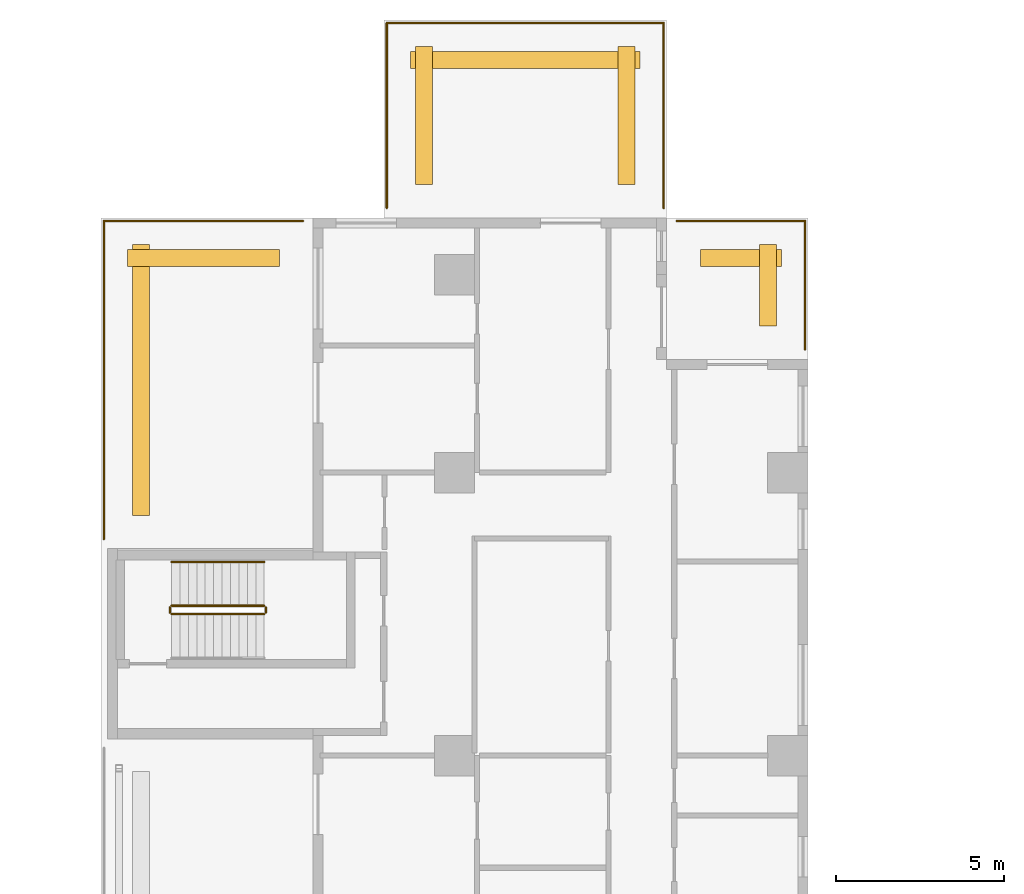
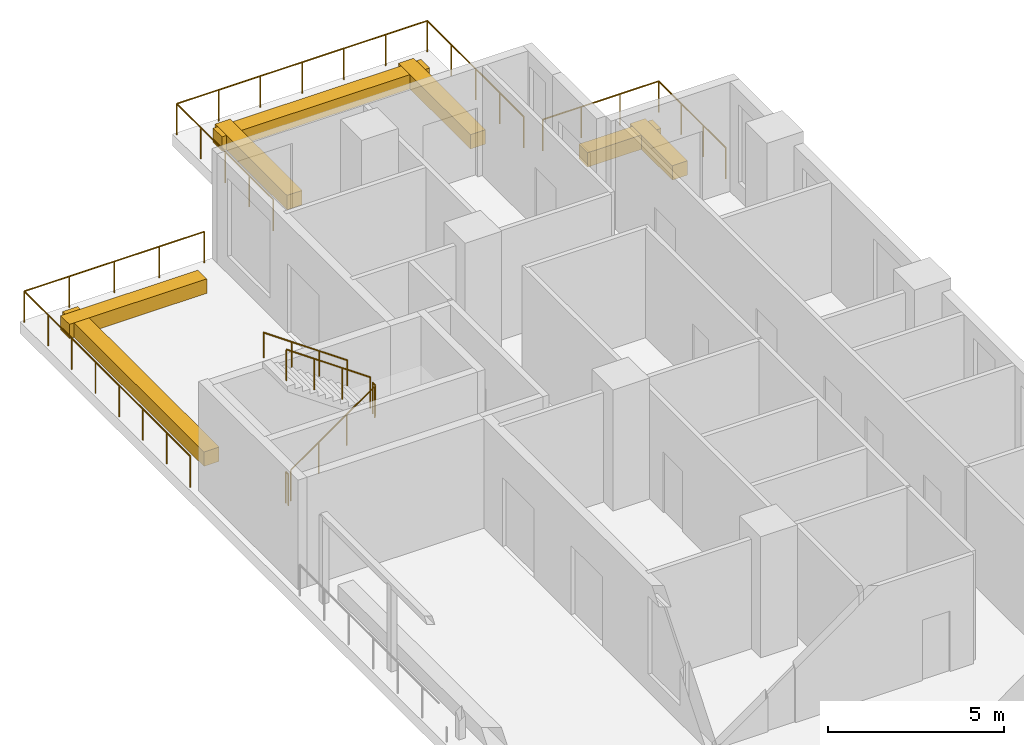
# One storey, part 17 of 18: 12 railings, 7 coverings.
"""IFC4 building model written with IfcOpenShell, lengths in metres."""

from ifc_helpers import new_model, si_unit, direction, frame, origin, origin_2d, place, context, subcontext, project, spatial, rectangle, circle, extrude, source, transform, mapped, material, type_object, element, save


model = new_model("IFC4")

# Units and contexts
model_context = context("Model", 3, precision=1e-05, world=origin(), true_north=direction((0.0, 1.0)))
body_context = subcontext(model_context, "Body", "Model", "MODEL_VIEW")
ifc_project = project(units=[si_unit("LENGTHUNIT", "METRE"), si_unit("AREAUNIT", "SQUARE_METRE"), si_unit("VOLUMEUNIT", "CUBIC_METRE"), si_unit("PLANEANGLEUNIT", "RADIAN"), si_unit("MASSUNIT", "GRAM", prefix="KILO")], contexts=[model_context])

# Site, building, storey
site_placement = place(None, origin())
site = spatial("IfcSite", under=ifc_project, at=site_placement, CompositionType="ELEMENT")
building_placement = place(site_placement, origin())
building = spatial("IfcBuilding", under=site, at=building_placement, Name="Aurelian Terraces", CompositionType="ELEMENT")
storey_placement = place(building_placement, frame((0.0, 0.0, 99.3)))
storey = spatial("IfcBuildingStorey", under=building, at=storey_placement, Name="L21", CompositionType="ELEMENT", Elevation=99.3)

# Railings
ifc_material_1 = material(Name="Anodised aluminium", Category="aluminium")
railing_type_1 = type_object("IfcRailingType", Name="GUARD-1100", PredefinedType="GUARDRAIL", material=ifc_material_1)
railing_1_placement = place(storey_placement, frame((0.09, 44.2289, 0.0)))
element("IfcRailing", 1, at=railing_1_placement, inside=storey, type_object=railing_type_1, Name="Terrace guard L21 L21-X1.2", PredefinedType="GUARDRAIL", context=body_context, shape_type="SweptSolid", body=[
    extrude(circle(Radius=0.024, at=origin_2d()), frame((0.0, 0.0, 1.076), z_axis=(0.0, 1.0, 0.0), x_axis=(-1.0, 0.0, 0.0)), (0.0, 0.0, 1.0), 9.4411),
    extrude(circle(Radius=0.021, at=origin_2d()), origin(), (0.0, 0.0, 1.0), 1.052),
    extrude(circle(Radius=0.021, at=origin_2d()), frame((0.0, 1.3487, 0.0)), (0.0, 0.0, 1.0), 1.052),
    extrude(circle(Radius=0.021, at=origin_2d()), frame((0.0, 2.6975, 0.0)), (0.0, 0.0, 1.0), 1.052),
    extrude(circle(Radius=0.021, at=origin_2d()), frame((0.0, 4.0462, 0.0)), (0.0, 0.0, 1.0), 1.052),
    extrude(circle(Radius=0.021, at=origin_2d()), frame((0.0, 5.3949, 0.0)), (0.0, 0.0, 1.0), 1.052),
    extrude(circle(Radius=0.021, at=origin_2d()), frame((0.0, 6.7436, 0.0)), (0.0, 0.0, 1.0), 1.052),
    extrude(circle(Radius=0.021, at=origin_2d()), frame((0.0, 8.0924, 0.0)), (0.0, 0.0, 1.0), 1.052),
    extrude(circle(Radius=0.021, at=origin_2d()), frame((0.0, 9.4411, 0.0)), (0.0, 0.0, 1.0), 1.052),
])
railing_2_placement = place(storey_placement, frame((0.09, 53.67, 0.0)))
element("IfcRailing", 2, at=railing_2_placement, inside=storey, type_object=railing_type_1, Name="Terrace guard L21 L21-X1.3", PredefinedType="GUARDRAIL", context=body_context, shape_type="SweptSolid", body=[
    extrude(circle(Radius=0.024, at=origin_2d()), frame((0.0, 0.0, 1.076), z_axis=(1.0, 0.0, 0.0), x_axis=(0.0, 1.0, 0.0)), (0.0, 0.0, 1.0), 5.91),
    extrude(circle(Radius=0.021, at=origin_2d()), origin(), (0.0, 0.0, 1.0), 1.052),
    extrude(circle(Radius=0.021, at=origin_2d()), frame((1.4775, 0.0, 0.0)), (0.0, 0.0, 1.0), 1.052),
    extrude(circle(Radius=0.021, at=origin_2d()), frame((2.955, 0.0, 0.0)), (0.0, 0.0, 1.0), 1.052),
    extrude(circle(Radius=0.021, at=origin_2d()), frame((4.4325, 0.0, 0.0)), (0.0, 0.0, 1.0), 1.052),
    extrude(circle(Radius=0.021, at=origin_2d()), frame((5.91, 0.0, 0.0)), (0.0, 0.0, 1.0), 1.052),
])
railing_3_placement = place(storey_placement, frame((8.49, 54.06, 0.0)))
element("IfcRailing", 3, at=railing_3_placement, inside=storey, type_object=railing_type_1, Name="Terrace guard L21 L21-X2.1", PredefinedType="GUARDRAIL", context=body_context, shape_type="SweptSolid", body=[
    extrude(circle(Radius=0.024, at=origin_2d()), frame((0.0, 0.0, 1.076), z_axis=(0.0, 1.0, 0.0), x_axis=(-1.0, 0.0, 0.0)), (0.0, 0.0, 1.0), 5.49),
    extrude(circle(Radius=0.021, at=origin_2d()), origin(), (0.0, 0.0, 1.0), 1.052),
    extrude(circle(Radius=0.021, at=origin_2d()), frame((0.0, 1.3725, 0.0)), (0.0, 0.0, 1.0), 1.052),
    extrude(circle(Radius=0.021, at=origin_2d()), frame((0.0, 2.745, 0.0)), (0.0, 0.0, 1.0), 1.052),
    extrude(circle(Radius=0.021, at=origin_2d()), frame((0.0, 4.1175, 0.0)), (0.0, 0.0, 1.0), 1.052),
    extrude(circle(Radius=0.021, at=origin_2d()), frame((0.0, 5.49, 0.0)), (0.0, 0.0, 1.0), 1.052),
])
railing_4_placement = place(storey_placement, frame((8.49, 59.55, 0.0)))
element("IfcRailing", 4, at=railing_4_placement, inside=storey, type_object=railing_type_1, Name="Terrace guard L21 L21-X2.2", PredefinedType="GUARDRAIL", context=body_context, shape_type="SweptSolid", body=[
    extrude(circle(Radius=0.024, at=origin_2d()), frame((0.0, 0.0, 1.076), z_axis=(1.0, 0.0, 0.0), x_axis=(0.0, 1.0, 0.0)), (0.0, 0.0, 1.0), 8.22),
    extrude(circle(Radius=0.021, at=origin_2d()), origin(), (0.0, 0.0, 1.0), 1.052),
    extrude(circle(Radius=0.021, at=origin_2d()), frame((1.37, 0.0, 0.0)), (0.0, 0.0, 1.0), 1.052),
    extrude(circle(Radius=0.021, at=origin_2d()), frame((2.74, 0.0, 0.0)), (0.0, 0.0, 1.0), 1.052),
    extrude(circle(Radius=0.021, at=origin_2d()), frame((4.11, 0.0, 0.0)), (0.0, 0.0, 1.0), 1.052),
    extrude(circle(Radius=0.021, at=origin_2d()), frame((5.48, 0.0, 0.0)), (0.0, 0.0, 1.0), 1.052),
    extrude(circle(Radius=0.021, at=origin_2d()), frame((6.85, 0.0, 0.0)), (0.0, 0.0, 1.0), 1.052),
    extrude(circle(Radius=0.021, at=origin_2d()), frame((8.22, 0.0, 0.0)), (0.0, 0.0, 1.0), 1.052),
])
railing_5_placement = place(storey_placement, frame((16.71, 59.55, 0.0)))
element("IfcRailing", 5, at=railing_5_placement, inside=storey, type_object=railing_type_1, Name="Terrace guard L21 L21-X2.3", PredefinedType="GUARDRAIL", context=body_context, shape_type="SweptSolid", body=[
    extrude(circle(Radius=0.024, at=origin_2d()), frame((0.0, 0.0, 1.076), z_axis=(0.0, -1.0, 0.0), x_axis=(1.0, 0.0, 0.0)), (0.0, 0.0, 1.0), 5.49),
    extrude(circle(Radius=0.021, at=origin_2d()), origin(), (0.0, 0.0, 1.0), 1.052),
    extrude(circle(Radius=0.021, at=origin_2d()), frame((0.0, -1.3725, 0.0)), (0.0, 0.0, 1.0), 1.052),
    extrude(circle(Radius=0.021, at=origin_2d()), frame((0.0, -2.745, 0.0)), (0.0, 0.0, 1.0), 1.052),
    extrude(circle(Radius=0.021, at=origin_2d()), frame((0.0, -4.1175, 0.0)), (0.0, 0.0, 1.0), 1.052),
    extrude(circle(Radius=0.021, at=origin_2d()), frame((0.0, -5.49, 0.0)), (0.0, 0.0, 1.0), 1.052),
])
railing_6_placement = place(storey_placement, frame((17.1, 53.67, 0.0)))
element("IfcRailing", 6, at=railing_6_placement, inside=storey, type_object=railing_type_1, Name="Terrace guard L21 L21-X3.1", PredefinedType="GUARDRAIL", context=body_context, shape_type="SweptSolid", body=[
    extrude(circle(Radius=0.024, at=origin_2d()), frame((0.0, 0.0, 1.076), z_axis=(1.0, 0.0, 0.0), x_axis=(0.0, 1.0, 0.0)), (0.0, 0.0, 1.0), 3.81),
    extrude(circle(Radius=0.021, at=origin_2d()), origin(), (0.0, 0.0, 1.0), 1.052),
    extrude(circle(Radius=0.021, at=origin_2d()), frame((1.27, 0.0, 0.0)), (0.0, 0.0, 1.0), 1.052),
    extrude(circle(Radius=0.021, at=origin_2d()), frame((2.54, 0.0, 0.0)), (0.0, 0.0, 1.0), 1.052),
    extrude(circle(Radius=0.021, at=origin_2d()), frame((3.81, 0.0, 0.0)), (0.0, 0.0, 1.0), 1.052),
])
railing_7_placement = place(storey_placement, frame((20.91, 53.67, 0.0)))
element("IfcRailing", 7, at=railing_7_placement, inside=storey, type_object=railing_type_1, Name="Terrace guard L21 L21-X3.2", PredefinedType="GUARDRAIL", context=body_context, shape_type="SweptSolid", body=[
    extrude(circle(Radius=0.024, at=origin_2d()), frame((0.0, 0.0, 1.076), z_axis=(0.0, -1.0, 0.0), x_axis=(1.0, 0.0, 0.0)), (0.0, 0.0, 1.0), 3.81),
    extrude(circle(Radius=0.021, at=origin_2d()), origin(), (0.0, 0.0, 1.0), 1.052),
    extrude(circle(Radius=0.021, at=origin_2d()), frame((0.0, -1.27, 0.0)), (0.0, 0.0, 1.0), 1.052),
    extrude(circle(Radius=0.021, at=origin_2d()), frame((0.0, -2.54, 0.0)), (0.0, 0.0, 1.0), 1.052),
    extrude(circle(Radius=0.021, at=origin_2d()), frame((0.0, -3.81, 0.0)), (0.0, 0.0, 1.0), 1.052),
])

# Coverings
ifc_material_2 = material(Name="Terracotta planter with planting soil", Category="masonry")
covering_type = type_object("IfcCoveringType", Name="PLANTER-TROUGH", PredefinedType="USERDEFINED", material=ifc_material_2)
covering_1_placement = place(storey_placement, frame((1.19, 48.9494, 0.0), z_axis=(0.0, 0.0, 1.0), x_axis=(1.0, 0.0, 0.0)))
element("IfcCovering", 8, at=covering_1_placement, inside=storey, type_object=covering_type, Name="PLANTER L21 terrace L21-X1-1.1", ObjectType="PLANTER", PredefinedType="USERDEFINED", context=body_context, shape_type="SweptSolid", body=[
    extrude(rectangle(XDim=0.5, YDim=8.0411, at=origin_2d()), origin(), (0.0, 0.0, 1.0), 0.5),
])
covering_2_placement = place(storey_placement, frame((3.045, 52.57, 0.0), z_axis=(0.0, 0.0, 1.0), x_axis=(1.0, 0.0, 0.0)))
element("IfcCovering", 9, at=covering_2_placement, inside=storey, type_object=covering_type, Name="PLANTER L21 terrace L21-X1-2.1", ObjectType="PLANTER", PredefinedType="USERDEFINED", context=body_context, shape_type="SweptSolid", body=[
    extrude(rectangle(XDim=4.51, YDim=0.5, at=origin_2d()), origin(), (0.0, 0.0, 1.0), 0.5),
])
covering_3_placement = place(storey_placement, frame((9.59, 56.805, 0.0), z_axis=(0.0, 0.0, 1.0), x_axis=(1.0, 0.0, 0.0)))
element("IfcCovering", 10, at=covering_3_placement, inside=storey, type_object=covering_type, Name="PLANTER L21 terrace L21-X2-0.1", ObjectType="PLANTER", PredefinedType="USERDEFINED", context=body_context, shape_type="SweptSolid", body=[
    extrude(rectangle(XDim=0.5, YDim=4.09, at=origin_2d()), origin(), (0.0, 0.0, 1.0), 0.5),
])
covering_4_placement = place(storey_placement, frame((12.6, 58.45, 0.0), z_axis=(0.0, 0.0, 1.0), x_axis=(1.0, 0.0, 0.0)))
element("IfcCovering", 11, at=covering_4_placement, inside=storey, type_object=covering_type, Name="PLANTER L21 terrace L21-X2-1.1", ObjectType="PLANTER", PredefinedType="USERDEFINED", context=body_context, shape_type="SweptSolid", body=[
    extrude(rectangle(XDim=6.82, YDim=0.5, at=origin_2d()), origin(), (0.0, 0.0, 1.0), 0.5),
])
covering_5_placement = place(storey_placement, frame((19.005, 52.57, 0.0), z_axis=(0.0, 0.0, 1.0), x_axis=(1.0, 0.0, 0.0)))
element("IfcCovering", 12, at=covering_5_placement, inside=storey, type_object=covering_type, Name="PLANTER L21 terrace L21-X3-0.1", ObjectType="PLANTER", PredefinedType="USERDEFINED", context=body_context, shape_type="SweptSolid", body=[
    extrude(rectangle(XDim=2.41, YDim=0.5, at=origin_2d()), origin(), (0.0, 0.0, 1.0), 0.5),
])
covering_6_placement = place(storey_placement, frame((19.81, 51.765, 0.0), z_axis=(0.0, 0.0, 1.0), x_axis=(1.0, 0.0, 0.0)))
element("IfcCovering", 13, at=covering_6_placement, inside=storey, type_object=covering_type, Name="PLANTER L21 terrace L21-X3-1.1", ObjectType="PLANTER", PredefinedType="USERDEFINED", context=body_context, shape_type="SweptSolid", body=[
    extrude(rectangle(XDim=0.5, YDim=2.41, at=origin_2d()), origin(), (0.0, 0.0, 1.0), 0.5),
])
shared_shape_1 = source(origin(), body_context, "Body", "SweptSolid", [
    extrude(rectangle(XDim=0.5, YDim=4.09, at=origin_2d()), origin(), (0.0, 0.0, 1.0), 0.5),
])
covering_7_placement = place(storey_placement, frame((15.61, 56.805, 0.0), z_axis=(0.0, 0.0, 1.0), x_axis=(1.0, 0.0, 0.0)))
element("IfcCovering", 14, at=covering_7_placement, inside=storey, type_object=covering_type, Name="PLANTER L21 terrace L21-X2-2.1", ObjectType="PLANTER", PredefinedType="USERDEFINED", context=body_context, shape_type="MappedRepresentation", body=[
    mapped(shared_shape_1, transform((0.0, 0.0, 0.0), scale=1.0)),
])

# Railings
ifc_material_3 = material(Name="Stainless steel", Category="steel")
railing_type_2 = type_object("IfcRailingType", Name="Stair guard 1100", PredefinedType="GUARDRAIL", material=ifc_material_3)
shared_shape_2 = source(origin(), body_context, "Body", "SweptSolid", [
    extrude(circle(Radius=0.024, at=origin_2d()), frame((0.0, 0.0, 1.076), z_axis=(0.0, 1.0, 0.0), x_axis=(-1.0, 0.0, 0.0)), (0.0, 0.0, 1.0), 0.15),
    extrude(circle(Radius=0.021, at=origin_2d()), origin(), (0.0, 0.0, 1.0), 1.052),
    extrude(circle(Radius=0.021, at=origin_2d()), frame((0.0, 0.15, 0.0)), (0.0, 0.0, 1.0), 1.052),
])
for number, where, name in (
    (15, (4.9, 42.05, 2.1), "L21 S3 stair guard 2"),
    (16, (2.05, 42.05, 0.0), "L21 S3 stair guard 4"),
):
    element("IfcRailing", number, at=place(storey_placement, frame(where)), inside=storey, type_object=railing_type_2, Name=name, PredefinedType="GUARDRAIL", context=body_context, shape_type="MappedRepresentation", body=[
        mapped(shared_shape_2, transform((0.0, 0.0, 0.0), scale=1.0)),
    ])
shared_shape_3 = source(origin(), body_context, "Body", "SweptSolid", [
    extrude(circle(Radius=0.024, at=origin_2d()), frame((0.0, 0.0, 1.076), z_axis=(0.819231920519, 0.0, 0.573462344363), x_axis=(0.0, 1.0, 0.0)), (0.0, 0.0, 1.0), 3.3568),
    extrude(circle(Radius=0.021, at=origin_2d()), origin(), (0.0, 0.0, 1.0), 1.052),
    extrude(circle(Radius=0.021, at=origin_2d()), frame((0.9167, 0.0, 0.6417)), (0.0, 0.0, 1.0), 1.052),
    extrude(circle(Radius=0.021, at=origin_2d()), frame((1.8333, 0.0, 1.2833)), (0.0, 0.0, 1.0), 1.052),
    extrude(circle(Radius=0.021, at=origin_2d()), frame((2.75, 0.0, 1.925)), (0.0, 0.0, 1.0), 1.052),
])
railing_8_placement = place(storey_placement, frame((2.1, 42.0, 0.175)))
element("IfcRailing", 17, at=railing_8_placement, inside=storey, type_object=railing_type_2, Name="L21 S3 stair guard 1", PredefinedType="GUARDRAIL", context=body_context, shape_type="MappedRepresentation", body=[
    mapped(shared_shape_3, transform((0.0, 0.0, 0.0), scale=1.0)),
])
shared_shape_4 = source(origin(), body_context, "Body", "SweptSolid", [
    extrude(circle(Radius=0.024, at=origin_2d()), frame((0.0, 0.0, 1.076), z_axis=(-0.819231920519, 0.0, 0.573462344363), x_axis=(0.0, -1.0, 0.0)), (0.0, 0.0, 1.0), 3.3568),
    extrude(circle(Radius=0.021, at=origin_2d()), origin(), (0.0, 0.0, 1.0), 1.052),
    extrude(circle(Radius=0.021, at=origin_2d()), frame((-0.9167, 0.0, 0.6417)), (0.0, 0.0, 1.0), 1.052),
    extrude(circle(Radius=0.021, at=origin_2d()), frame((-1.8333, 0.0, 1.2833)), (0.0, 0.0, 1.0), 1.052),
    extrude(circle(Radius=0.021, at=origin_2d()), frame((-2.75, 0.0, 1.925)), (0.0, 0.0, 1.0), 1.052),
])
railing_9_placement = place(storey_placement, frame((4.85, 42.25, 2.275)))
element("IfcRailing", 18, at=railing_9_placement, inside=storey, type_object=railing_type_2, Name="L21 S3 stair guard 3", PredefinedType="GUARDRAIL", context=body_context, shape_type="MappedRepresentation", body=[
    mapped(shared_shape_4, transform((0.0, 0.0, 0.0), scale=1.0)),
])
railing_type_3 = type_object("IfcRailingType", Name="Stair handrail", PredefinedType="HANDRAIL", material=ifc_material_3)
shared_shape_5 = source(origin(), body_context, "Body", "SweptSolid", [
    extrude(circle(Radius=0.024, at=origin_2d()), frame((0.0, 0.0, 0.876), z_axis=(-0.819231920519, 0.0, 0.573462344363), x_axis=(0.0, -1.0, 0.0)), (0.0, 0.0, 1.0), 3.3568),
    extrude(circle(Radius=0.021, at=origin_2d()), origin(), (0.0, 0.0, 1.0), 0.852),
    extrude(circle(Radius=0.021, at=origin_2d()), frame((-0.9167, 0.0, 0.6417)), (0.0, 0.0, 1.0), 0.852),
    extrude(circle(Radius=0.021, at=origin_2d()), frame((-1.8333, 0.0, 1.2833)), (0.0, 0.0, 1.0), 0.852),
    extrude(circle(Radius=0.021, at=origin_2d()), frame((-2.75, 0.0, 1.925)), (0.0, 0.0, 1.0), 0.852),
])
railing_10_placement = place(storey_placement, frame((4.85, 43.55, 2.275)))
element("IfcRailing", 19, at=railing_10_placement, inside=storey, type_object=railing_type_3, Name="L21 S3 stair handrail 2", PredefinedType="HANDRAIL", context=body_context, shape_type="MappedRepresentation", body=[
    mapped(shared_shape_5, transform((0.0, 0.0, 0.0), scale=1.0)),
])

save(model, "model.ifc")
